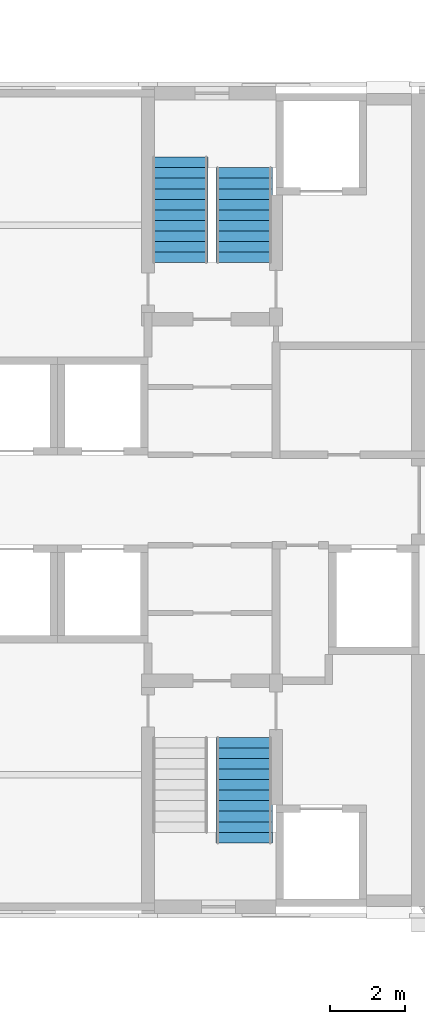
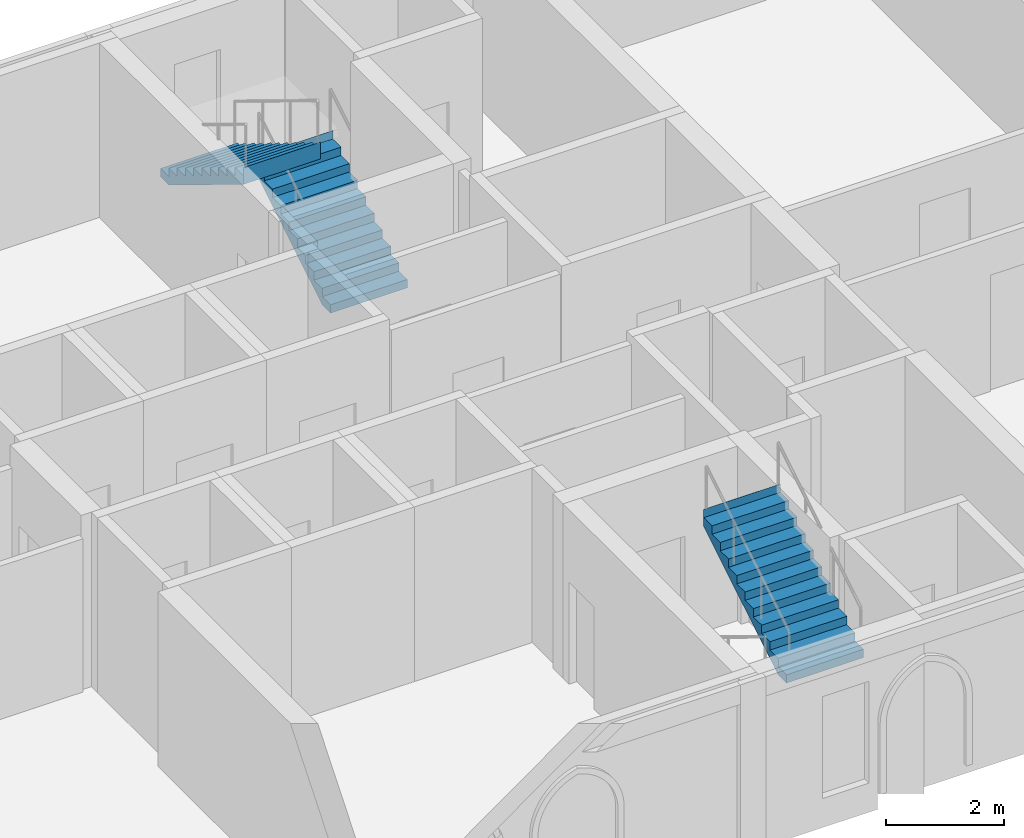
# One storey, part 107 of 142: 3 stair flights, 2 elements without a shape of their own.
"""IFC4 building model written with IfcOpenShell, lengths in metres."""

from ifc_helpers import new_model, si_unit, direction, frame, origin, place, context, subcontext, project, spatial, polyline, outline, extrude, material, type_object, element, aggregate, save


model = new_model("IFC4")

# Units and contexts
model_context = context("Model", 3, precision=1e-05, world=origin(), true_north=direction((0.0, 1.0)))
body_context = subcontext(model_context, "Body", "Model", "MODEL_VIEW")
ifc_project = project(units=[si_unit("LENGTHUNIT", "METRE"), si_unit("AREAUNIT", "SQUARE_METRE"), si_unit("VOLUMEUNIT", "CUBIC_METRE"), si_unit("PLANEANGLEUNIT", "RADIAN"), si_unit("MASSUNIT", "GRAM", prefix="KILO")], contexts=[model_context])

# Site, building, storey
site_placement = place(None, origin())
site = spatial("IfcSite", under=ifc_project, at=site_placement, CompositionType="ELEMENT")
building_placement = place(site_placement, origin())
building = spatial("IfcBuilding", under=site, at=building_placement, Name="Kupolbacken Congress Centre", CompositionType="ELEMENT")
storey_placement = place(building_placement, frame((0.0, 0.0, 14.39990234375)))
storey = spatial("IfcBuildingStorey", under=building, at=storey_placement, Name="L04", CompositionType="ELEMENT", Elevation=14.39990234375)

# Stair, stair flight
ifc_material_1 = material(Name="Steel S355", Category="steel")
stair_type = type_object("IfcStairType", Name="ST2 stair 1500", PredefinedType="TWO_STRAIGHT_RUN_STAIR", material=ifc_material_1)
stair_1_placement = place(storey_placement, origin())
stair_1 = element("IfcStair", 1, at=stair_1_placement, inside=storey, type_object=stair_type, Name="C/stair/TS2/L04", PredefinedType="NOTDEFINED")
ifc_material_2 = material(Name="Steel S355", Category="steel")
stair_flight_type_1 = type_object("IfcStairFlightType", Name="FL3 stair flight 1500 x 10 risers", PredefinedType="STRAIGHT", material=ifc_material_2)
stair_flight_1_placement = place(storey_placement, frame((103.35009765625, 139.5048828125, 0.0), z_axis=(0.0, 0.0, 1.0), x_axis=(0.0, 1.0, 0.0)))
stair_flight_1 = element("IfcStairFlight", 2, at=stair_flight_1_placement, type_object=stair_flight_type_1, Name="TS2 flight 1", NumberOfRisers=10, NumberOfTreads=9, PredefinedType="STRAIGHT", RiserHeight=0.171428571, TreadLength=0.28, context=body_context, shape_type="SweptSolid", body=[
    extrude(outline(polyline([(0.0, 0.0), (0.0, 0.0009765625), (0.0, 0.002197265625), (0.0, 0.003173828125), (0.0, 0.004150390625), (0.0, 0.00537109375), (0.0, 0.00634765625), (0.0, 0.007568359375), (0.0, 0.008544921875), (0.0, 0.009521484375), (0.0, 0.0107421875), (0.0, 0.01171875), (0.0, 0.0126953125), (0.0, 0.013916015625), (0.0, 0.014892578125), (0.0, 0.015869140625), (0.0, 0.01708984375), (0.0, 0.01806640625), (0.0, 0.019287109375), (0.0, 0.020263671875), (0.0, 0.021240234375), (0.0, 0.0224609375), (0.0, 0.0234375), (0.0, 0.0244140625), (0.0, 0.025634765625), (0.0, 0.026611328125), (0.0, 0.027587890625), (0.0, 0.02880859375), (0.0, 0.02978515625), (0.0, 0.03076171875), (0.0, 0.031982421875), (0.0, 0.032958984375), (0.0, 0.0341796875), (0.0, 0.03515625), (0.0, 0.0361328125), (0.0, 0.037353515625), (0.0, 0.038330078125), (0.0, 0.039306640625), (0.0, 0.04052734375), (0.0, 0.04150390625), (0.0, 0.04248046875), (0.0, 0.043701171875), (0.0, 0.044677734375), (0.0, 0.0458984375), (0.0, 0.046875), (0.0, 0.0478515625), (0.0, 0.049072265625), (0.0, 0.050048828125), (0.0, 0.051025390625), (0.0, 0.05224609375), (0.0, 0.05322265625), (0.0, 0.05419921875), (0.0, 0.055419921875), (0.0, 0.056396484375), (0.0, 0.0576171875), (0.0, 0.05859375), (0.0, 0.0595703125), (0.0, 0.060791015625), (0.0, 0.061767578125), (0.0, 0.062744140625), (0.0, 0.06396484375), (0.0, 0.06494140625), (0.0, 0.06591796875), (0.0, 0.067138671875), (0.0, 0.068115234375), (0.0, 0.069091796875), (0.0, 0.0703125), (0.0, 0.0712890625), (0.0, 0.072509765625), (0.0, 0.073486328125), (0.0, 0.074462890625), (0.0, 0.07568359375), (0.0, 0.07666015625), (0.0, 0.07763671875), (0.0, 0.078857421875), (0.0, 0.079833984375), (0.0, 0.080810546875), (0.0, 0.08203125), (0.0, 0.0830078125), (0.0, 0.084228515625), (0.0, 0.085205078125), (0.0, 0.086181640625), (0.0, 0.08740234375), (0.0, 0.08837890625), (0.0, 0.08935546875), (0.0, 0.090576171875), (0.0, 0.091552734375), (0.0, 0.092529296875), (0.0, 0.09375), (0.0, 0.0947265625), (0.0, 0.095947265625), (0.0, 0.096923828125), (0.0, 0.097900390625), (0.0, 0.09912109375), (0.0, 0.10009765625), (0.0, 0.10107421875), (0.0, 0.102294921875), (0.0, 0.103271484375), (0.0, 0.104248046875), (0.0, 0.10546875), (0.0, 0.1064453125), (0.0, 0.107421875), (0.0, 0.108642578125), (0.0, 0.109619140625), (0.0, 0.11083984375), (0.0, 0.11181640625), (0.0, 0.11279296875), (0.0, 0.114013671875), (0.0, 0.114990234375), (0.0, 0.115966796875), (0.0, 0.1171875), (0.0, 0.1181640625), (0.0, 0.119140625), (0.0, 0.120361328125), (0.0, 0.121337890625), (0.0, 0.12255859375), (0.0, 0.12353515625), (0.0, 0.12451171875), (0.0, 0.125732421875), (0.0, 0.126708984375), (0.0, 0.127685546875), (0.0, 0.12890625), (0.0, 0.1298828125), (0.0, 0.130859375), (0.0, 0.132080078125), (0.0, 0.133056640625), (0.0, 0.13427734375), (0.0, 0.13525390625), (0.0, 0.13623046875), (0.0, 0.137451171875), (0.0, 0.138427734375), (0.0, 0.139404296875), (0.0, 0.140625), (0.0, 0.1416015625), (0.0, 0.142578125), (0.0, 0.143798828125), (0.0, 0.144775390625), (0.0, 0.145751953125), (0.0, 0.14697265625), (0.0, 0.14794921875), (0.0, 0.149169921875), (0.0, 0.150146484375), (0.0, 0.151123046875), (0.0, 0.15234375), (0.0, 0.1533203125), (0.0, 0.154296875), (0.0, 0.155517578125), (0.0, 0.156494140625), (0.0, 0.157470703125), (0.0, 0.15869140625), (0.0, 0.15966796875), (0.0, 0.160888671875), (0.0, 0.161865234375), (0.0, 0.162841796875), (0.0, 0.1640625), (0.0, 0.1650390625), (0.0, 0.166015625), (0.0, 0.167236328125), (0.0, 0.168212890625), (0.0, 0.169189453125), (0.0, 0.17041015625), (0.0, 0.17138671875), (0.280029296875, 0.17138671875), (0.280029296875, 0.3427734375), (0.56005859375, 0.3427734375), (0.56005859375, 0.514404296875), (0.840087890625, 0.514404296875), (0.840087890625, 0.685791015625), (1.1201171875, 0.685791015625), (1.1201171875, 0.857177734375), (1.39990234375, 0.857177734375), (1.39990234375, 1.028564453125), (1.679931640625, 1.028564453125), (1.679931640625, 1.199951171875), (1.9599609375, 1.199951171875), (1.9599609375, 1.371337890625), (2.239990234375, 1.371337890625), (2.239990234375, 1.54296875), (2.52001953125, 1.54296875), (2.52001953125, 1.71435546875), (2.52197265625, 1.71435546875), (2.52197265625, 1.712158203125), (2.52197265625, 1.7099609375), (2.52197265625, 1.707763671875), (2.52197265625, 1.70556640625), (2.52197265625, 1.70361328125), (2.52197265625, 1.701416015625), (2.52197265625, 1.69921875), (2.52197265625, 1.697021484375), (2.52197265625, 1.69482421875), (2.52197265625, 1.692626953125), (2.52197265625, 1.690673828125), (2.52197265625, 1.6884765625), (2.52197265625, 1.686279296875), (2.52197265625, 1.68408203125), (2.52197265625, 1.681884765625), (2.52197265625, 1.6796875), (2.52197265625, 1.677734375), (2.52197265625, 1.675537109375), (2.52197265625, 1.67333984375), (2.52197265625, 1.671142578125), (2.52197265625, 1.6689453125), (2.52197265625, 1.666748046875), (2.52197265625, 1.664794921875), (2.52197265625, 1.66259765625), (2.52197265625, 1.660400390625), (2.52197265625, 1.658203125), (2.52197265625, 1.656005859375), (2.52197265625, 1.65380859375), (2.52197265625, 1.65185546875), (2.52197265625, 1.649658203125), (2.52197265625, 1.6474609375), (2.52197265625, 1.645263671875), (2.52197265625, 1.64306640625), (2.52197265625, 1.640869140625), (2.52197265625, 1.638916015625), (2.52197265625, 1.63671875), (2.52197265625, 1.634521484375), (2.52197265625, 1.63232421875), (2.52197265625, 1.630126953125), (2.52197265625, 1.6279296875), (2.52197265625, 1.6259765625), (2.52197265625, 1.623779296875), (2.52197265625, 1.62158203125), (2.52197265625, 1.619384765625), (2.52197265625, 1.6171875), (2.52197265625, 1.614990234375), (2.52197265625, 1.613037109375), (2.52197265625, 1.61083984375), (2.52197265625, 1.608642578125), (2.52197265625, 1.6064453125), (2.52197265625, 1.604248046875), (2.52197265625, 1.60205078125), (2.52197265625, 1.60009765625), (2.52197265625, 1.597900390625), (2.52197265625, 1.595703125), (2.52197265625, 1.593505859375), (2.52197265625, 1.59130859375), (2.52197265625, 1.589111328125), (2.52197265625, 1.587158203125), (2.52197265625, 1.5849609375), (2.52197265625, 1.582763671875), (2.52197265625, 1.58056640625), (2.52197265625, 1.578369140625), (2.52197265625, 1.576171875), (2.52197265625, 1.57421875), (2.52197265625, 1.572021484375), (2.52197265625, 1.56982421875), (2.52197265625, 1.567626953125), (2.52197265625, 1.5654296875), (2.52197265625, 1.563232421875), (2.52197265625, 1.561279296875), (2.52197265625, 1.55908203125), (2.52197265625, 1.556884765625), (2.52197265625, 1.5546875), (2.52197265625, 1.552490234375), (2.52197265625, 1.55029296875), (2.52197265625, 1.54833984375), (2.52197265625, 1.546142578125), (2.52197265625, 1.5439453125), (2.52197265625, 1.541748046875), (2.52197265625, 1.53955078125), (2.52197265625, 1.537353515625), (2.52197265625, 1.535400390625), (2.52197265625, 1.533203125), (2.52197265625, 1.531005859375), (2.52197265625, 1.52880859375), (2.52197265625, 1.526611328125), (2.52197265625, 1.5244140625), (2.52197265625, 1.5224609375), (2.52197265625, 1.520263671875), (2.52197265625, 1.51806640625), (2.52197265625, 1.515869140625), (2.52197265625, 1.513671875), (2.52197265625, 1.511474609375), (2.52197265625, 1.509521484375), (2.52197265625, 1.50732421875), (2.52197265625, 1.505126953125), (2.52197265625, 1.5029296875), (2.52197265625, 1.500732421875), (2.52197265625, 1.49853515625), (2.52197265625, 1.49658203125), (2.52197265625, 1.494384765625), (2.52197265625, 1.4921875), (2.52197265625, 1.489990234375), (2.52197265625, 1.48779296875), (2.52197265625, 1.485595703125), (2.52197265625, 1.483642578125), (2.52197265625, 1.4814453125), (2.52197265625, 1.479248046875), (2.52197265625, 1.47705078125), (2.52197265625, 1.474853515625), (2.52197265625, 1.47265625), (2.52197265625, 1.470703125), (2.52197265625, 1.468505859375), (2.52197265625, 1.46630859375), (2.52197265625, 1.464111328125), (2.52197265625, 1.4619140625), (2.52197265625, 1.459716796875), (2.52197265625, 1.457763671875), (2.52197265625, 1.45556640625), (2.52197265625, 1.453369140625), (2.52197265625, 1.451171875), (2.52197265625, 1.448974609375), (2.52197265625, 1.44677734375), (2.52197265625, 1.44482421875), (2.52197265625, 1.442626953125), (2.52197265625, 1.4404296875), (2.52197265625, 1.438232421875), (2.52197265625, 1.43603515625), (2.52197265625, 1.433837890625), (2.52197265625, 1.431884765625), (2.52197265625, 1.4296875), (2.52197265625, 1.427490234375), (2.52197265625, 1.42529296875), (2.52197265625, 1.423095703125), (2.52197265625, 1.4208984375), (2.52197265625, 1.4189453125), (2.52197265625, 1.416748046875), (2.52197265625, 1.41455078125), (2.52197265625, 1.412353515625), (2.52197265625, 1.41015625), (2.52197265625, 1.407958984375), (2.52197265625, 1.406005859375), (2.52197265625, 1.40380859375), (2.52197265625, 1.401611328125), (2.52197265625, 1.3994140625), (2.52197265625, 1.397216796875), (2.52197265625, 1.39501953125), (2.52197265625, 1.39306640625), (2.52197265625, 1.390869140625), (2.52197265625, 1.388671875), (2.52197265625, 1.386474609375), (2.52197265625, 1.38427734375), (2.52197265625, 1.382080078125), (2.52197265625, 1.380126953125), (2.52197265625, 1.3779296875), (2.52197265625, 1.375732421875), (2.52197265625, 1.37353515625), (2.52197265625, 1.371337890625), (2.52197265625, 1.369140625), (2.52197265625, 1.3671875), (0.2890625, 0.0), (0.0, 0.0)])), frame((0.0, 0.75, 0.0), z_axis=(0.0, -1.0, 0.0), x_axis=(1.0, 0.0, 0.0)), (0.0, 0.0, 1.0), 1.5),
])

stair_2_placement = place(storey_placement, origin())
stair_2 = element("IfcStair", 3, at=stair_2_placement, inside=storey, type_object=stair_type, Name="C/stair/TS1/L04", PredefinedType="NOTDEFINED")
ifc_material_3 = material(Name="Steel S355", Category="steel")
stair_flight_type_2 = type_object("IfcStairFlightType", Name="FL4 stair flight 1500 x 11 risers", PredefinedType="STRAIGHT", material=ifc_material_3)
stair_flight_2_placement = place(storey_placement, frame((103.35009765625, 124.094970703125, 1.71435546875), z_axis=(0.0, 0.0, 1.0), x_axis=(0.0, 1.0, 0.0)))
stair_flight_2 = element("IfcStairFlight", 4, at=stair_flight_2_placement, type_object=stair_flight_type_2, Name="TS1 flight 2", NumberOfRisers=11, NumberOfTreads=10, PredefinedType="STRAIGHT", RiserHeight=0.171428571, TreadLength=0.28, context=body_context, shape_type="SweptSolid", body=[
    extrude(outline(polyline([(0.0, 0.0), (0.0, 0.0009765625), (0.0, 0.002197265625), (0.0, 0.003173828125), (0.0, 0.004150390625), (0.0, 0.00537109375), (0.0, 0.00634765625), (0.0, 0.007568359375), (0.0, 0.008544921875), (0.0, 0.009521484375), (0.0, 0.0107421875), (0.0, 0.01171875), (0.0, 0.0126953125), (0.0, 0.013916015625), (0.0, 0.014892578125), (0.0, 0.015869140625), (0.0, 0.01708984375), (0.0, 0.01806640625), (0.0, 0.019287109375), (0.0, 0.020263671875), (0.0, 0.021240234375), (0.0, 0.0224609375), (0.0, 0.0234375), (0.0, 0.0244140625), (0.0, 0.025634765625), (0.0, 0.026611328125), (0.0, 0.027587890625), (0.0, 0.02880859375), (0.0, 0.02978515625), (0.0, 0.03076171875), (0.0, 0.031982421875), (0.0, 0.032958984375), (0.0, 0.0341796875), (0.0, 0.03515625), (0.0, 0.0361328125), (0.0, 0.037353515625), (0.0, 0.038330078125), (0.0, 0.039306640625), (0.0, 0.04052734375), (0.0, 0.04150390625), (0.0, 0.04248046875), (0.0, 0.043701171875), (0.0, 0.044677734375), (0.0, 0.0458984375), (0.0, 0.046875), (0.0, 0.0478515625), (0.0, 0.049072265625), (0.0, 0.050048828125), (0.0, 0.051025390625), (0.0, 0.05224609375), (0.0, 0.05322265625), (0.0, 0.05419921875), (0.0, 0.055419921875), (0.0, 0.056396484375), (0.0, 0.0576171875), (0.0, 0.05859375), (0.0, 0.0595703125), (0.0, 0.060791015625), (0.0, 0.061767578125), (0.0, 0.062744140625), (0.0, 0.06396484375), (0.0, 0.06494140625), (0.0, 0.06591796875), (0.0, 0.067138671875), (0.0, 0.068115234375), (0.0, 0.069091796875), (0.0, 0.0703125), (0.0, 0.0712890625), (0.0, 0.072509765625), (0.0, 0.073486328125), (0.0, 0.074462890625), (0.0, 0.07568359375), (0.0, 0.07666015625), (0.0, 0.07763671875), (0.0, 0.078857421875), (0.0, 0.079833984375), (0.0, 0.080810546875), (0.0, 0.08203125), (0.0, 0.0830078125), (0.0, 0.084228515625), (0.0, 0.085205078125), (0.0, 0.086181640625), (0.0, 0.08740234375), (0.0, 0.08837890625), (0.0, 0.08935546875), (0.0, 0.090576171875), (0.0, 0.091552734375), (0.0, 0.092529296875), (0.0, 0.09375), (0.0, 0.0947265625), (0.0, 0.095947265625), (0.0, 0.096923828125), (0.0, 0.097900390625), (0.0, 0.09912109375), (0.0, 0.10009765625), (0.0, 0.10107421875), (0.0, 0.102294921875), (0.0, 0.103271484375), (0.0, 0.104248046875), (0.0, 0.10546875), (0.0, 0.1064453125), (0.0, 0.107421875), (0.0, 0.108642578125), (0.0, 0.109619140625), (0.0, 0.11083984375), (0.0, 0.11181640625), (0.0, 0.11279296875), (0.0, 0.114013671875), (0.0, 0.114990234375), (0.0, 0.115966796875), (0.0, 0.1171875), (0.0, 0.1181640625), (0.0, 0.119140625), (0.0, 0.120361328125), (0.0, 0.121337890625), (0.0, 0.12255859375), (0.0, 0.12353515625), (0.0, 0.12451171875), (0.0, 0.125732421875), (0.0, 0.126708984375), (0.0, 0.127685546875), (0.0, 0.12890625), (0.0, 0.1298828125), (0.0, 0.130859375), (0.0, 0.132080078125), (0.0, 0.133056640625), (0.0, 0.13427734375), (0.0, 0.13525390625), (0.0, 0.13623046875), (0.0, 0.137451171875), (0.0, 0.138427734375), (0.0, 0.139404296875), (0.0, 0.140625), (0.0, 0.1416015625), (0.0, 0.142578125), (0.0, 0.143798828125), (0.0, 0.144775390625), (0.0, 0.145751953125), (0.0, 0.14697265625), (0.0, 0.14794921875), (0.0, 0.149169921875), (0.0, 0.150146484375), (0.0, 0.151123046875), (0.0, 0.15234375), (0.0, 0.1533203125), (0.0, 0.154296875), (0.0, 0.155517578125), (0.0, 0.156494140625), (0.0, 0.157470703125), (0.0, 0.15869140625), (0.0, 0.15966796875), (0.0, 0.160888671875), (0.0, 0.161865234375), (0.0, 0.162841796875), (0.0, 0.1640625), (0.0, 0.1650390625), (0.0, 0.166015625), (0.0, 0.167236328125), (0.0, 0.168212890625), (0.0, 0.169189453125), (0.0, 0.17041015625), (0.0, 0.17138671875), (0.280029296875, 0.17138671875), (0.280029296875, 0.3427734375), (0.56005859375, 0.3427734375), (0.56005859375, 0.514404296875), (0.840087890625, 0.514404296875), (0.840087890625, 0.685791015625), (1.1201171875, 0.685791015625), (1.1201171875, 0.857177734375), (1.39990234375, 0.857177734375), (1.39990234375, 1.028564453125), (1.679931640625, 1.028564453125), (1.679931640625, 1.199951171875), (1.9599609375, 1.199951171875), (1.9599609375, 1.371337890625), (2.239990234375, 1.371337890625), (2.239990234375, 1.54296875), (2.52001953125, 1.54296875), (2.52001953125, 1.71435546875), (2.800048828125, 1.71435546875), (2.800048828125, 1.8857421875), (2.802001953125, 1.8857421875), (2.802001953125, 1.883544921875), (2.802001953125, 1.88134765625), (2.802001953125, 1.879150390625), (2.802001953125, 1.877197265625), (2.802001953125, 1.875), (2.802001953125, 1.872802734375), (2.802001953125, 1.87060546875), (2.802001953125, 1.868408203125), (2.802001953125, 1.8662109375), (2.802001953125, 1.8642578125), (2.802001953125, 1.862060546875), (2.802001953125, 1.85986328125), (2.802001953125, 1.857666015625), (2.802001953125, 1.85546875), (2.802001953125, 1.853271484375), (2.802001953125, 1.851318359375), (2.802001953125, 1.84912109375), (2.802001953125, 1.846923828125), (2.802001953125, 1.8447265625), (2.802001953125, 1.842529296875), (2.802001953125, 1.84033203125), (2.802001953125, 1.83837890625), (2.802001953125, 1.836181640625), (2.802001953125, 1.833984375), (2.802001953125, 1.831787109375), (2.802001953125, 1.82958984375), (2.802001953125, 1.827392578125), (2.802001953125, 1.825439453125), (2.802001953125, 1.8232421875), (2.802001953125, 1.821044921875), (2.802001953125, 1.81884765625), (2.802001953125, 1.816650390625), (2.802001953125, 1.814453125), (2.802001953125, 1.8125), (2.802001953125, 1.810302734375), (2.802001953125, 1.80810546875), (2.802001953125, 1.805908203125), (2.802001953125, 1.8037109375), (2.802001953125, 1.801513671875), (2.802001953125, 1.799560546875), (2.802001953125, 1.79736328125), (2.802001953125, 1.795166015625), (2.802001953125, 1.79296875), (2.802001953125, 1.790771484375), (2.802001953125, 1.78857421875), (2.802001953125, 1.78662109375), (2.802001953125, 1.784423828125), (2.802001953125, 1.7822265625), (2.802001953125, 1.780029296875), (2.802001953125, 1.77783203125), (2.802001953125, 1.775634765625), (2.802001953125, 1.773681640625), (2.802001953125, 1.771484375), (2.802001953125, 1.769287109375), (2.802001953125, 1.76708984375), (2.802001953125, 1.764892578125), (2.802001953125, 1.7626953125), (2.802001953125, 1.7607421875), (2.802001953125, 1.758544921875), (2.802001953125, 1.75634765625), (2.802001953125, 1.754150390625), (2.802001953125, 1.751953125), (2.802001953125, 1.749755859375), (2.802001953125, 1.747802734375), (2.802001953125, 1.74560546875), (2.802001953125, 1.743408203125), (2.802001953125, 1.7412109375), (2.802001953125, 1.739013671875), (2.802001953125, 1.73681640625), (2.802001953125, 1.73486328125), (2.802001953125, 1.732666015625), (2.802001953125, 1.73046875), (2.802001953125, 1.728271484375), (2.802001953125, 1.72607421875), (2.802001953125, 1.723876953125), (2.802001953125, 1.721923828125), (2.802001953125, 1.7197265625), (2.802001953125, 1.717529296875), (2.802001953125, 1.71533203125), (2.802001953125, 1.713134765625), (2.802001953125, 1.7109375), (2.802001953125, 1.708984375), (2.802001953125, 1.706787109375), (2.802001953125, 1.70458984375), (2.802001953125, 1.702392578125), (2.802001953125, 1.7001953125), (2.802001953125, 1.697998046875), (2.802001953125, 1.696044921875), (2.802001953125, 1.69384765625), (2.802001953125, 1.691650390625), (2.802001953125, 1.689453125), (2.802001953125, 1.687255859375), (2.802001953125, 1.68505859375), (2.802001953125, 1.68310546875), (2.802001953125, 1.680908203125), (2.802001953125, 1.6787109375), (2.802001953125, 1.676513671875), (2.802001953125, 1.67431640625), (2.802001953125, 1.672119140625), (2.802001953125, 1.670166015625), (2.802001953125, 1.66796875), (2.802001953125, 1.665771484375), (2.802001953125, 1.66357421875), (2.802001953125, 1.661376953125), (2.802001953125, 1.6591796875), (2.802001953125, 1.6572265625), (2.802001953125, 1.655029296875), (2.802001953125, 1.65283203125), (2.802001953125, 1.650634765625), (2.802001953125, 1.6484375), (2.802001953125, 1.646240234375), (2.802001953125, 1.644287109375), (2.802001953125, 1.64208984375), (2.802001953125, 1.639892578125), (2.802001953125, 1.6376953125), (2.802001953125, 1.635498046875), (2.802001953125, 1.63330078125), (2.802001953125, 1.63134765625), (2.802001953125, 1.629150390625), (2.802001953125, 1.626953125), (2.802001953125, 1.624755859375), (2.802001953125, 1.62255859375), (2.802001953125, 1.620361328125), (2.802001953125, 1.618408203125), (2.802001953125, 1.6162109375), (2.802001953125, 1.614013671875), (2.802001953125, 1.61181640625), (2.802001953125, 1.609619140625), (2.802001953125, 1.607421875), (2.802001953125, 1.60546875), (2.802001953125, 1.603271484375), (2.802001953125, 1.60107421875), (2.802001953125, 1.598876953125), (2.802001953125, 1.5966796875), (2.802001953125, 1.594482421875), (2.802001953125, 1.592529296875), (2.802001953125, 1.59033203125), (2.802001953125, 1.588134765625), (2.802001953125, 1.5859375), (2.802001953125, 1.583740234375), (2.802001953125, 1.58154296875), (2.802001953125, 1.57958984375), (2.802001953125, 1.577392578125), (2.802001953125, 1.5751953125), (2.802001953125, 1.572998046875), (2.802001953125, 1.57080078125), (2.802001953125, 1.568603515625), (2.802001953125, 1.566650390625), (2.802001953125, 1.564453125), (2.802001953125, 1.562255859375), (2.802001953125, 1.56005859375), (2.802001953125, 1.557861328125), (2.802001953125, 1.5556640625), (2.802001953125, 1.5537109375), (2.802001953125, 1.551513671875), (2.802001953125, 1.54931640625), (2.802001953125, 1.547119140625), (2.802001953125, 1.544921875), (2.802001953125, 1.542724609375), (2.802001953125, 1.540771484375), (2.802001953125, 1.53857421875), (0.2890625, 0.0), (0.0, 0.0)])), frame((0.0, 0.75, 0.0), z_axis=(0.0, -1.0, 0.0), x_axis=(1.0, 0.0, 0.0)), (0.0, 0.0, 1.0), 1.5),
])
aggregate(stair_2, [stair_flight_2])

# Stair flight
stair_flight_3_placement = place(storey_placement, frame((101.64990234375, 142.304931640625, 1.71435546875), z_axis=(0.0, 0.0, 1.0), x_axis=(0.0, -1.0, 0.0)))
stair_flight_3 = element("IfcStairFlight", 5, at=stair_flight_3_placement, type_object=stair_flight_type_2, Name="TS2 flight 2", NumberOfRisers=11, NumberOfTreads=10, PredefinedType="STRAIGHT", RiserHeight=0.171428571, TreadLength=0.28, context=body_context, shape_type="SweptSolid", body=[
    extrude(outline(polyline([(0.0, 0.0), (0.0, 0.0009765625), (0.0, 0.002197265625), (0.0, 0.003173828125), (0.0, 0.004150390625), (0.0, 0.00537109375), (0.0, 0.00634765625), (0.0, 0.007568359375), (0.0, 0.008544921875), (0.0, 0.009521484375), (0.0, 0.0107421875), (0.0, 0.01171875), (0.0, 0.0126953125), (0.0, 0.013916015625), (0.0, 0.014892578125), (0.0, 0.015869140625), (0.0, 0.01708984375), (0.0, 0.01806640625), (0.0, 0.019287109375), (0.0, 0.020263671875), (0.0, 0.021240234375), (0.0, 0.0224609375), (0.0, 0.0234375), (0.0, 0.0244140625), (0.0, 0.025634765625), (0.0, 0.026611328125), (0.0, 0.027587890625), (0.0, 0.02880859375), (0.0, 0.02978515625), (0.0, 0.03076171875), (0.0, 0.031982421875), (0.0, 0.032958984375), (0.0, 0.0341796875), (0.0, 0.03515625), (0.0, 0.0361328125), (0.0, 0.037353515625), (0.0, 0.038330078125), (0.0, 0.039306640625), (0.0, 0.04052734375), (0.0, 0.04150390625), (0.0, 0.04248046875), (0.0, 0.043701171875), (0.0, 0.044677734375), (0.0, 0.0458984375), (0.0, 0.046875), (0.0, 0.0478515625), (0.0, 0.049072265625), (0.0, 0.050048828125), (0.0, 0.051025390625), (0.0, 0.05224609375), (0.0, 0.05322265625), (0.0, 0.05419921875), (0.0, 0.055419921875), (0.0, 0.056396484375), (0.0, 0.0576171875), (0.0, 0.05859375), (0.0, 0.0595703125), (0.0, 0.060791015625), (0.0, 0.061767578125), (0.0, 0.062744140625), (0.0, 0.06396484375), (0.0, 0.06494140625), (0.0, 0.06591796875), (0.0, 0.067138671875), (0.0, 0.068115234375), (0.0, 0.069091796875), (0.0, 0.0703125), (0.0, 0.0712890625), (0.0, 0.072509765625), (0.0, 0.073486328125), (0.0, 0.074462890625), (0.0, 0.07568359375), (0.0, 0.07666015625), (0.0, 0.07763671875), (0.0, 0.078857421875), (0.0, 0.079833984375), (0.0, 0.080810546875), (0.0, 0.08203125), (0.0, 0.0830078125), (0.0, 0.084228515625), (0.0, 0.085205078125), (0.0, 0.086181640625), (0.0, 0.08740234375), (0.0, 0.08837890625), (0.0, 0.08935546875), (0.0, 0.090576171875), (0.0, 0.091552734375), (0.0, 0.092529296875), (0.0, 0.09375), (0.0, 0.0947265625), (0.0, 0.095947265625), (0.0, 0.096923828125), (0.0, 0.097900390625), (0.0, 0.09912109375), (0.0, 0.10009765625), (0.0, 0.10107421875), (0.0, 0.102294921875), (0.0, 0.103271484375), (0.0, 0.104248046875), (0.0, 0.10546875), (0.0, 0.1064453125), (0.0, 0.107421875), (0.0, 0.108642578125), (0.0, 0.109619140625), (0.0, 0.11083984375), (0.0, 0.11181640625), (0.0, 0.11279296875), (0.0, 0.114013671875), (0.0, 0.114990234375), (0.0, 0.115966796875), (0.0, 0.1171875), (0.0, 0.1181640625), (0.0, 0.119140625), (0.0, 0.120361328125), (0.0, 0.121337890625), (0.0, 0.12255859375), (0.0, 0.12353515625), (0.0, 0.12451171875), (0.0, 0.125732421875), (0.0, 0.126708984375), (0.0, 0.127685546875), (0.0, 0.12890625), (0.0, 0.1298828125), (0.0, 0.130859375), (0.0, 0.132080078125), (0.0, 0.133056640625), (0.0, 0.13427734375), (0.0, 0.13525390625), (0.0, 0.13623046875), (0.0, 0.137451171875), (0.0, 0.138427734375), (0.0, 0.139404296875), (0.0, 0.140625), (0.0, 0.1416015625), (0.0, 0.142578125), (0.0, 0.143798828125), (0.0, 0.144775390625), (0.0, 0.145751953125), (0.0, 0.14697265625), (0.0, 0.14794921875), (0.0, 0.149169921875), (0.0, 0.150146484375), (0.0, 0.151123046875), (0.0, 0.15234375), (0.0, 0.1533203125), (0.0, 0.154296875), (0.0, 0.155517578125), (0.0, 0.156494140625), (0.0, 0.157470703125), (0.0, 0.15869140625), (0.0, 0.15966796875), (0.0, 0.160888671875), (0.0, 0.161865234375), (0.0, 0.162841796875), (0.0, 0.1640625), (0.0, 0.1650390625), (0.0, 0.166015625), (0.0, 0.167236328125), (0.0, 0.168212890625), (0.0, 0.169189453125), (0.0, 0.17041015625), (0.0, 0.17138671875), (0.280029296875, 0.17138671875), (0.280029296875, 0.3427734375), (0.56005859375, 0.3427734375), (0.56005859375, 0.514404296875), (0.840087890625, 0.514404296875), (0.840087890625, 0.685791015625), (1.1201171875, 0.685791015625), (1.1201171875, 0.857177734375), (1.39990234375, 0.857177734375), (1.39990234375, 1.028564453125), (1.679931640625, 1.028564453125), (1.679931640625, 1.199951171875), (1.9599609375, 1.199951171875), (1.9599609375, 1.371337890625), (2.239990234375, 1.371337890625), (2.239990234375, 1.54296875), (2.52001953125, 1.54296875), (2.52001953125, 1.71435546875), (2.800048828125, 1.71435546875), (2.800048828125, 1.8857421875), (2.802001953125, 1.8857421875), (2.802001953125, 1.883544921875), (2.802001953125, 1.88134765625), (2.802001953125, 1.879150390625), (2.802001953125, 1.877197265625), (2.802001953125, 1.875), (2.802001953125, 1.872802734375), (2.802001953125, 1.87060546875), (2.802001953125, 1.868408203125), (2.802001953125, 1.8662109375), (2.802001953125, 1.8642578125), (2.802001953125, 1.862060546875), (2.802001953125, 1.85986328125), (2.802001953125, 1.857666015625), (2.802001953125, 1.85546875), (2.802001953125, 1.853271484375), (2.802001953125, 1.851318359375), (2.802001953125, 1.84912109375), (2.802001953125, 1.846923828125), (2.802001953125, 1.8447265625), (2.802001953125, 1.842529296875), (2.802001953125, 1.84033203125), (2.802001953125, 1.83837890625), (2.802001953125, 1.836181640625), (2.802001953125, 1.833984375), (2.802001953125, 1.831787109375), (2.802001953125, 1.82958984375), (2.802001953125, 1.827392578125), (2.802001953125, 1.825439453125), (2.802001953125, 1.8232421875), (2.802001953125, 1.821044921875), (2.802001953125, 1.81884765625), (2.802001953125, 1.816650390625), (2.802001953125, 1.814453125), (2.802001953125, 1.8125), (2.802001953125, 1.810302734375), (2.802001953125, 1.80810546875), (2.802001953125, 1.805908203125), (2.802001953125, 1.8037109375), (2.802001953125, 1.801513671875), (2.802001953125, 1.799560546875), (2.802001953125, 1.79736328125), (2.802001953125, 1.795166015625), (2.802001953125, 1.79296875), (2.802001953125, 1.790771484375), (2.802001953125, 1.78857421875), (2.802001953125, 1.78662109375), (2.802001953125, 1.784423828125), (2.802001953125, 1.7822265625), (2.802001953125, 1.780029296875), (2.802001953125, 1.77783203125), (2.802001953125, 1.775634765625), (2.802001953125, 1.773681640625), (2.802001953125, 1.771484375), (2.802001953125, 1.769287109375), (2.802001953125, 1.76708984375), (2.802001953125, 1.764892578125), (2.802001953125, 1.7626953125), (2.802001953125, 1.7607421875), (2.802001953125, 1.758544921875), (2.802001953125, 1.75634765625), (2.802001953125, 1.754150390625), (2.802001953125, 1.751953125), (2.802001953125, 1.749755859375), (2.802001953125, 1.747802734375), (2.802001953125, 1.74560546875), (2.802001953125, 1.743408203125), (2.802001953125, 1.7412109375), (2.802001953125, 1.739013671875), (2.802001953125, 1.73681640625), (2.802001953125, 1.73486328125), (2.802001953125, 1.732666015625), (2.802001953125, 1.73046875), (2.802001953125, 1.728271484375), (2.802001953125, 1.72607421875), (2.802001953125, 1.723876953125), (2.802001953125, 1.721923828125), (2.802001953125, 1.7197265625), (2.802001953125, 1.717529296875), (2.802001953125, 1.71533203125), (2.802001953125, 1.713134765625), (2.802001953125, 1.7109375), (2.802001953125, 1.708984375), (2.802001953125, 1.706787109375), (2.802001953125, 1.70458984375), (2.802001953125, 1.702392578125), (2.802001953125, 1.7001953125), (2.802001953125, 1.697998046875), (2.802001953125, 1.696044921875), (2.802001953125, 1.69384765625), (2.802001953125, 1.691650390625), (2.802001953125, 1.689453125), (2.802001953125, 1.687255859375), (2.802001953125, 1.68505859375), (2.802001953125, 1.68310546875), (2.802001953125, 1.680908203125), (2.802001953125, 1.6787109375), (2.802001953125, 1.676513671875), (2.802001953125, 1.67431640625), (2.802001953125, 1.672119140625), (2.802001953125, 1.670166015625), (2.802001953125, 1.66796875), (2.802001953125, 1.665771484375), (2.802001953125, 1.66357421875), (2.802001953125, 1.661376953125), (2.802001953125, 1.6591796875), (2.802001953125, 1.6572265625), (2.802001953125, 1.655029296875), (2.802001953125, 1.65283203125), (2.802001953125, 1.650634765625), (2.802001953125, 1.6484375), (2.802001953125, 1.646240234375), (2.802001953125, 1.644287109375), (2.802001953125, 1.64208984375), (2.802001953125, 1.639892578125), (2.802001953125, 1.6376953125), (2.802001953125, 1.635498046875), (2.802001953125, 1.63330078125), (2.802001953125, 1.63134765625), (2.802001953125, 1.629150390625), (2.802001953125, 1.626953125), (2.802001953125, 1.624755859375), (2.802001953125, 1.62255859375), (2.802001953125, 1.620361328125), (2.802001953125, 1.618408203125), (2.802001953125, 1.6162109375), (2.802001953125, 1.614013671875), (2.802001953125, 1.61181640625), (2.802001953125, 1.609619140625), (2.802001953125, 1.607421875), (2.802001953125, 1.60546875), (2.802001953125, 1.603271484375), (2.802001953125, 1.60107421875), (2.802001953125, 1.598876953125), (2.802001953125, 1.5966796875), (2.802001953125, 1.594482421875), (2.802001953125, 1.592529296875), (2.802001953125, 1.59033203125), (2.802001953125, 1.588134765625), (2.802001953125, 1.5859375), (2.802001953125, 1.583740234375), (2.802001953125, 1.58154296875), (2.802001953125, 1.57958984375), (2.802001953125, 1.577392578125), (2.802001953125, 1.5751953125), (2.802001953125, 1.572998046875), (2.802001953125, 1.57080078125), (2.802001953125, 1.568603515625), (2.802001953125, 1.566650390625), (2.802001953125, 1.564453125), (2.802001953125, 1.562255859375), (2.802001953125, 1.56005859375), (2.802001953125, 1.557861328125), (2.802001953125, 1.5556640625), (2.802001953125, 1.5537109375), (2.802001953125, 1.551513671875), (2.802001953125, 1.54931640625), (2.802001953125, 1.547119140625), (2.802001953125, 1.544921875), (2.802001953125, 1.542724609375), (2.802001953125, 1.540771484375), (2.802001953125, 1.53857421875), (0.2890625, 0.0), (0.0, 0.0)])), frame((0.0, 0.75, 0.0), z_axis=(0.0, -1.0, 0.0), x_axis=(1.0, 0.0, 0.0)), (0.0, 0.0, 1.0), 1.5),
])

aggregate(stair_1, [stair_flight_1, stair_flight_3])

save(model, "model.ifc")
